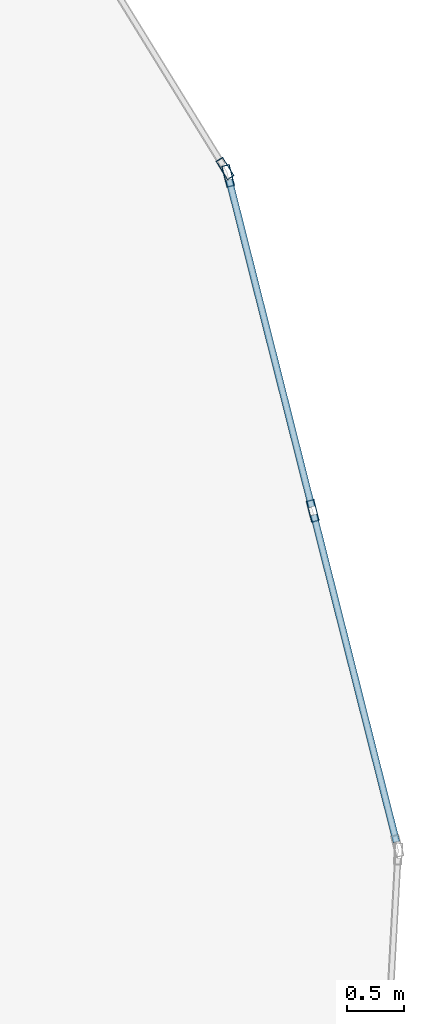
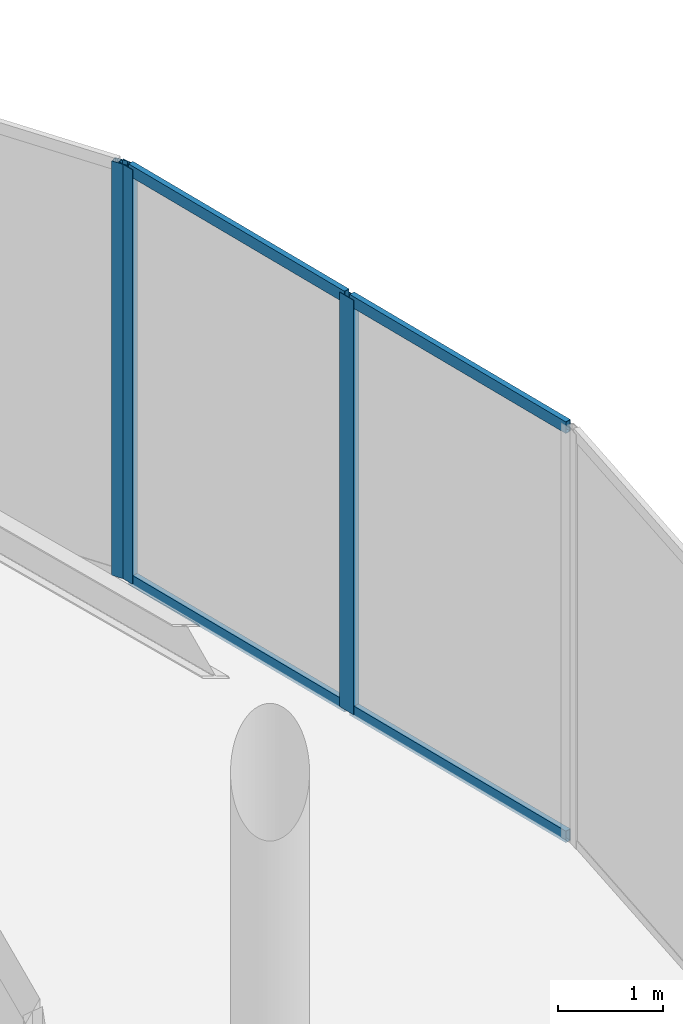
# One storey, part 10 of 21: 7 members, 2 elements without a shape of their own.
"""IFC4 building model written with IfcOpenShell, lengths in metres."""

from ifc_helpers import new_model, si_unit, direction, frame, origin, origin_2d, place, context, subcontext, project, spatial, hollow_rectangle, extrude, source, transform, mapped, material, layer, layer_set, material_profile, profile_set, type_object, element, aggregate, save


model = new_model("IFC4")

# Units and contexts
model_context = context("Model", 3, precision=1e-05, world=origin(), true_north=direction((0.0, 1.0)))
body_context = subcontext(model_context, "Body", "Model", "MODEL_VIEW")
ifc_project = project(units=[si_unit("LENGTHUNIT", "METRE"), si_unit("AREAUNIT", "SQUARE_METRE"), si_unit("VOLUMEUNIT", "CUBIC_METRE"), si_unit("PLANEANGLEUNIT", "RADIAN"), si_unit("MASSUNIT", "GRAM", prefix="KILO")], contexts=[model_context])

# Site, building, storey
site_placement = place(None, origin())
site = spatial("IfcSite", under=ifc_project, at=site_placement, CompositionType="ELEMENT")
building_placement = place(site_placement, origin())
building = spatial("IfcBuilding", under=site, at=building_placement, Name="Solvirekh Grand Hotel", CompositionType="ELEMENT")
storey_placement = place(building_placement, frame((0.0, 0.0, 262.0)))
storey = spatial("IfcBuildingStorey", under=building, at=storey_placement, Name="L68", CompositionType="ELEMENT", Elevation=262.0)

# Curtain wall, members
ifc_material = material(Name="Anodized Bronze Aluminium 6063-T6", Category="aluminium")
ifc_layer = layer(ifc_material, 0.18994140625)
ifc_layer_set = layer_set([ifc_layer], Name="Anodized Bronze Aluminium 6063-T6")
curtain_wall_type = type_object("IfcCurtainWallType", Name="CW_Sys5_SkyLobbyPanoramaCW", PredefinedType="NOTDEFINED", material=ifc_layer_set)
curtain_wall_1_placement = place(storey_placement, origin())
curtain_wall_1 = element("IfcCurtainWall", 1, at=curtain_wall_1_placement, inside=storey, type_object=curtain_wall_type, Name="L68 unitised bronze-glass curtain wall CW-L68-C06", PredefinedType="NOTDEFINED")
ifc_material_profile_1 = material_profile(ifc_material, hollow_rectangle(XDim=0.070068359375, YDim=0.18994140625, WallThickness=0.0048828125, at=origin_2d()), Name="ALU RHS 190X70X5")
ifc_profile_set_1 = profile_set([ifc_material_profile_1], Name="Anodized Bronze Aluminium 6063-T6")
member_type_1 = type_object("IfcMemberType", Name="CWMullion_Sys5", PredefinedType="MULLION", material=ifc_profile_set_1)
shared_shape_1 = source(origin(), body_context, "Body", "SweptSolid", [
    extrude(hollow_rectangle(XDim=0.070068359375, YDim=0.18994140625, WallThickness=0.0048828125, at=origin_2d()), origin(), (0.0, 0.0, 1.0), 4.800048828125),
])
member_1_placement = place(storey_placement, frame((19.06640625, 4.758544921875, 0.0), z_axis=(0.0, 0.0, 1.0), x_axis=(-0.969531400996, -0.244967064078, 0.0)))
member_1 = element("IfcMember", 2, at=member_1_placement, type_object=member_type_1, Name="U05 mullion 2", PredefinedType="MULLION", context=body_context, shape_type="MappedRepresentation", body=[
    mapped(shared_shape_1, transform((0.0, 0.0, 0.0), x_axis=(1.0, 0.0, 0.0), y_axis=(0.0, 1.0, 0.0), z_axis=(0.0, 0.0, 1.0), scale=1.0)),
])
member_2_placement = place(storey_placement, frame((18.32861328125, 7.678955078125, 0.0), z_axis=(0.0, 0.0, 1.0), x_axis=(-0.969531400996, -0.244967064078, 0.0)))
member_2 = element("IfcMember", 3, at=member_2_placement, type_object=member_type_1, Name="U05 mullion 3", PredefinedType="MULLION", context=body_context, shape_type="MappedRepresentation", body=[
    mapped(shared_shape_1, transform((0.0, 0.0, 0.0), x_axis=(1.0, 0.0, 0.0), y_axis=(0.0, 1.0, 0.0), z_axis=(0.0, 0.0, 1.0), scale=1.0)),
])

# Curtain wall, member
curtain_wall_2_placement = place(storey_placement, origin())
curtain_wall_2 = element("IfcCurtainWall", 4, at=curtain_wall_2_placement, inside=storey, type_object=curtain_wall_type, Name="L68 unitised bronze-glass curtain wall CW-L68-C07", PredefinedType="NOTDEFINED")
member_3_placement = place(storey_placement, frame((18.3017578125, 7.742919921875, 0.0), z_axis=(0.0, 0.0, 1.0), x_axis=(-0.851533516922, -0.524300171237, 0.0)))
member_3 = element("IfcMember", 5, at=member_3_placement, type_object=member_type_1, Name="U05 mullion 1", PredefinedType="MULLION", context=body_context, shape_type="MappedRepresentation", body=[
    mapped(shared_shape_1, transform((0.0, 0.0, 0.0), x_axis=(1.0, 0.0, 0.0), y_axis=(0.0, 1.0, 0.0), z_axis=(0.0, 0.0, 1.0), scale=1.0)),
])
aggregate(curtain_wall_2, [member_3])

# Member
ifc_material_profile_2 = material_profile(ifc_material, hollow_rectangle(XDim=0.06005859375, YDim=0.135009765625, WallThickness=0.00390625, at=origin_2d()), Name="ALU RHS 135X60X4")
ifc_profile_set_2 = profile_set([ifc_material_profile_2], Name="Anodized Bronze Aluminium 6063-T6")
member_type_2 = type_object("IfcMemberType", Name="CWTransom_Sys5", PredefinedType="USERDEFINED", material=ifc_profile_set_2)
shared_shape_2 = source(origin(), body_context, "Body", "SweptSolid", [
    extrude(hollow_rectangle(XDim=0.06005859375, YDim=0.135009765625, WallThickness=0.00390625, at=origin_2d()), origin(), (0.0, 0.0, 1.0), 2.9423828125),
])
member_4_placement = place(storey_placement, frame((19.7958984375, 1.871826171875, 0.030029296875), z_axis=(-0.244936217516, 0.969539194334, 0.0), x_axis=(-0.969539194334, -0.244936217516, 0.0)))
member_4 = element("IfcMember", 6, at=member_4_placement, type_object=member_type_2, Name="U05 transom 1.1", ObjectType="TRANSOM", PredefinedType="USERDEFINED", context=body_context, shape_type="MappedRepresentation", body=[
    mapped(shared_shape_2, transform((0.0, 0.0, 0.0), x_axis=(1.0, 0.0, 0.0), y_axis=(0.0, 1.0, 0.0), z_axis=(0.0, 0.0, 1.0), scale=1.0)),
])

member_5_placement = place(storey_placement, frame((19.7958984375, 1.871826171875, 4.77001953125), z_axis=(-0.244936217516, 0.969539194334, 0.0), x_axis=(-0.969539194334, -0.244936217516, 0.0)))
member_5 = element("IfcMember", 7, at=member_5_placement, type_object=member_type_2, Name="U05 transom 1.2", ObjectType="TRANSOM", PredefinedType="USERDEFINED", context=body_context, shape_type="MappedRepresentation", body=[
    mapped(shared_shape_2, transform((0.0, 0.0, 0.0), x_axis=(1.0, 0.0, 0.0), y_axis=(0.0, 1.0, 0.0), z_axis=(0.0, 0.0, 1.0), scale=1.0)),
])

shared_shape_3 = source(origin(), body_context, "Body", "SweptSolid", [
    extrude(hollow_rectangle(XDim=0.06005859375, YDim=0.135009765625, WallThickness=0.00390625, at=origin_2d()), origin(), (0.0, 0.0, 1.0), 2.942138671875),
])
member_6_placement = place(storey_placement, frame((19.057861328125, 4.79248046875, 0.030029296875), z_axis=(-0.244955923079, 0.969534215873, 0.0), x_axis=(-0.969534215873, -0.244955923079, 0.0)))
member_6 = element("IfcMember", 8, at=member_6_placement, type_object=member_type_2, Name="U05 transom 2.1", ObjectType="TRANSOM", PredefinedType="USERDEFINED", context=body_context, shape_type="MappedRepresentation", body=[
    mapped(shared_shape_3, transform((0.0, 0.0, 0.0), x_axis=(1.0, 0.0, 0.0), y_axis=(0.0, 1.0, 0.0), z_axis=(0.0, 0.0, 1.0), scale=1.0)),
])

member_7_placement = place(storey_placement, frame((19.057861328125, 4.79248046875, 4.77001953125), z_axis=(-0.244955923079, 0.969534215873, 0.0), x_axis=(-0.969534215873, -0.244955923079, 0.0)))
member_7 = element("IfcMember", 9, at=member_7_placement, type_object=member_type_2, Name="U05 transom 2.2", ObjectType="TRANSOM", PredefinedType="USERDEFINED", context=body_context, shape_type="MappedRepresentation", body=[
    mapped(shared_shape_3, transform((0.0, 0.0, 0.0), x_axis=(1.0, 0.0, 0.0), y_axis=(0.0, 1.0, 0.0), z_axis=(0.0, 0.0, 1.0), scale=1.0)),
])

aggregate(curtain_wall_1, [member_1, member_2, member_4, member_5, member_6, member_7])

save(model, "model.ifc")
